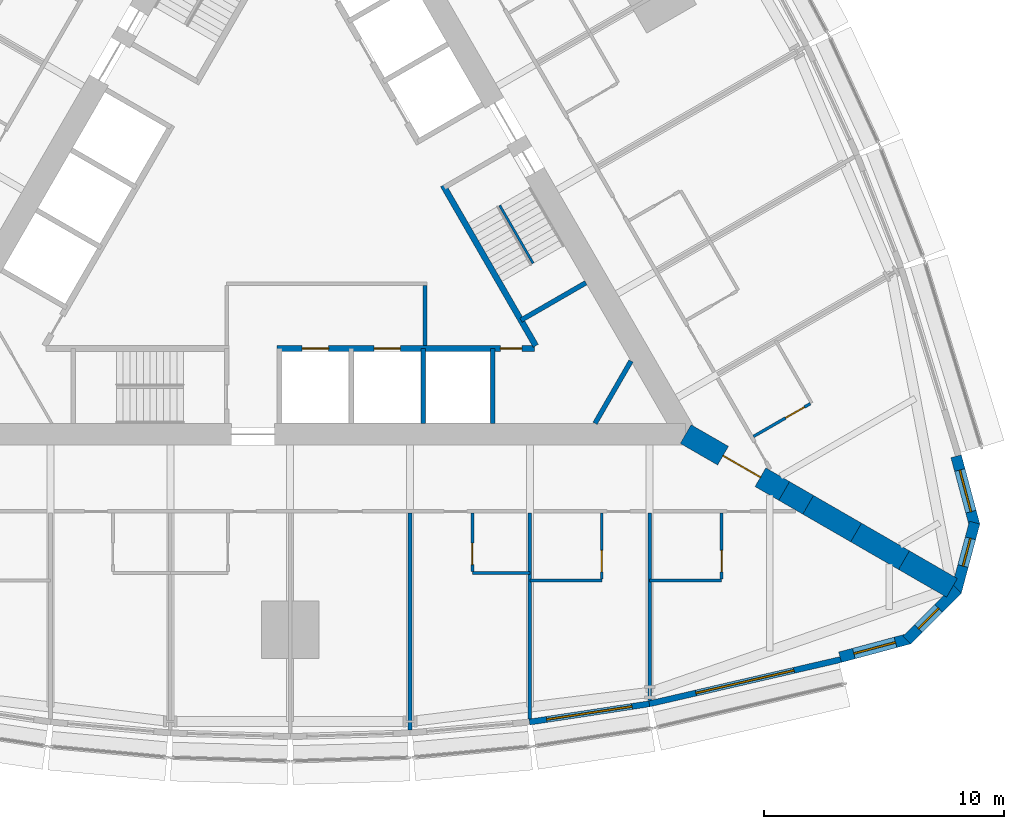
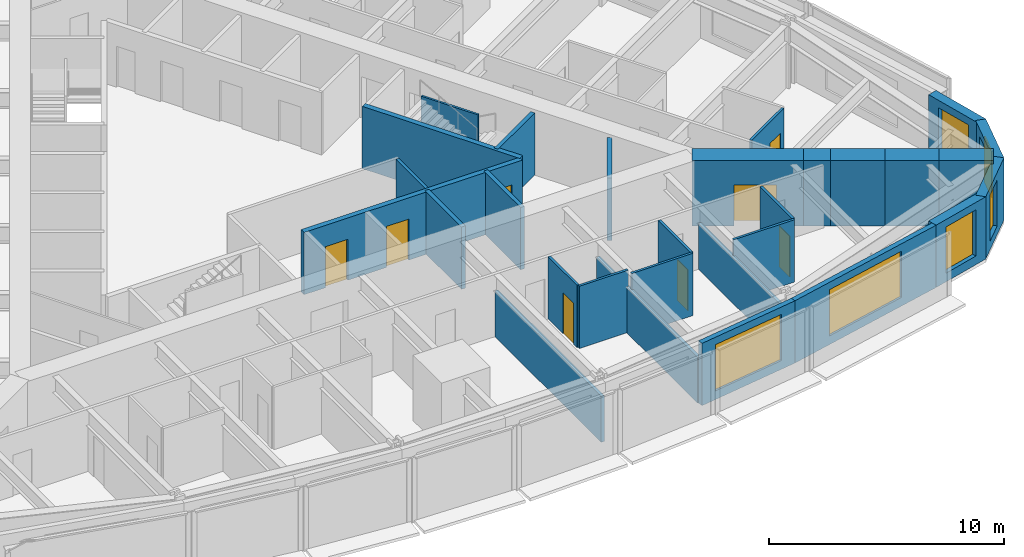
# One storey, part 10 of 14: 29 walls, 8 doors, 6 windows, 14 openings.
"""IFC4 building model written with IfcOpenShell, lengths in metres."""

import ifcopenshell
import ifcopenshell.guid

model = None  # the IFC model being written
_history = None  # IfcOwnerHistory: only IFC2X3 demands one
_inside = {}  # id of a spatial element -> (the spatial element, [elements in it])
_under = {}  # id of a project, library or spatial element -> (it, [spatial elements below it])
_declared = {}  # id of a project -> (the project, [libraries it declares])
_typed = {}  # id of a type object -> (the type object, [elements of that type])
_made_of = {}  # id of a material, layer set ... -> (it, [elements and type objects made of it])


def new_model(schema):
    """Start an empty IFC model of exactly this schema.

    Asked for "IFC4X3", IfcOpenShell would pick the latest addendum, in which some entities
    have other attributes; the version numbers below select the first issue.
    IFC2X3 requires an IfcOwnerHistory on every rooted entity: one is made here for all.
    """
    global model, _history
    if schema == "IFC4X3":
        model = ifcopenshell.file(schema_version=(4, 3, 0, 0))
    else:
        model = ifcopenshell.file(schema=schema)
    _inside.clear()
    _under.clear()
    _declared.clear()
    _typed.clear()
    _made_of.clear()
    _history = None
    if model.schema == "IFC2X3":
        org = make("IfcOrganization", Name="unknown")
        user = make(
            "IfcPersonAndOrganization",
            ThePerson=make("IfcPerson", FamilyName="unknown"),
            TheOrganization=org,
        )
        app = make(
            "IfcApplication",
            ApplicationDeveloper=org,
            Version="unknown",
            ApplicationFullName="unknown",
            ApplicationIdentifier="unknown",
        )
        _history = make(
            "IfcOwnerHistory",
            OwningUser=user,
            OwningApplication=app,
            ChangeAction="ADDED",
            CreationDate=0,
        )
    return model


def make(cls, **values):
    """One entity of the class cls with the attributes given. An attribute that is None is left unset."""
    return model.create_entity(
        cls, **{name: value for name, value in values.items() if value is not None}
    )


def rooted(cls, **values):
    """An entity with a GlobalId (a new one), such as an element, a storey or a relation."""
    return make(cls, GlobalId=ifcopenshell.guid.new(), OwnerHistory=_history, **values)


def si_unit(unit_type, name, prefix=None):
    """IfcSIUnit, for example si_unit("LENGTHUNIT", "METRE", prefix="MILLI")."""
    return make("IfcSIUnit", UnitType=unit_type, Prefix=prefix, Name=name)


def assignment(units):
    """IfcUnitAssignment: the units of a project."""
    return None if units is None else make("IfcUnitAssignment", Units=units)


def point(xyz):
    """IfcCartesianPoint."""
    return None if xyz is None else make("IfcCartesianPoint", Coordinates=xyz)


def direction(xyz):
    """IfcDirection."""
    return None if xyz is None else make("IfcDirection", DirectionRatios=xyz)


def frame(location, z_axis=None, x_axis=None):
    """IfcAxis2Placement3D, a coordinate frame: its origin and axes. An axis left out is left unset."""
    return make(
        "IfcAxis2Placement3D",
        Location=point(location),
        Axis=direction(z_axis),
        RefDirection=direction(x_axis),
    )


def frame_2d(location, x_axis=None):
    """IfcAxis2Placement2D, a coordinate frame in the plane: its origin and x axis."""
    return make(
        "IfcAxis2Placement2D", Location=point(location), RefDirection=direction(x_axis)
    )


def origin():
    """The frame at (0, 0, 0) with its axes left unset."""
    return frame((0.0, 0.0, 0.0))


def place(relative_to, where):
    """IfcLocalPlacement: puts the frame where relative to a parent placement (None: the world)."""
    return make(
        "IfcLocalPlacement", PlacementRelTo=relative_to, RelativePlacement=where
    )


def context(
    kind, dimensions, precision=None, world=None, true_north=None, identifier=None
):
    """IfcGeometricRepresentationContext, for example the 3D "Model" context."""
    return make(
        "IfcGeometricRepresentationContext",
        ContextIdentifier=identifier,
        ContextType=kind,
        CoordinateSpaceDimension=dimensions,
        Precision=precision,
        WorldCoordinateSystem=world,
        TrueNorth=true_north,
    )


def subcontext(parent, identifier, kind, view, scale=None):
    """IfcGeometricRepresentationSubContext, for example "Body" below "Model"."""
    return make(
        "IfcGeometricRepresentationSubContext",
        ContextIdentifier=identifier,
        ContextType=kind,
        ParentContext=parent,
        TargetScale=scale,
        TargetView=view,
    )


def project(units=None, contexts=None):
    """IfcProject with its units and contexts."""
    return rooted(
        "IfcProject",
        Name="project",
        RepresentationContexts=contexts,
        UnitsInContext=assignment(units),
    )


def spatial(cls, under=None, at=None, **own):
    """A site, building, storey or space (cls), placed at a placement, below another one or the project."""
    s = rooted(cls, ObjectPlacement=at, **own)
    if under is not None:
        _under.setdefault(under.id(), (under, []))[1].append(s)
    return s


def polyline(points):
    """IfcPolyline through the points."""
    return make("IfcPolyline", Points=[point(p) for p in points])


def profile(cls, at=None, kind="AREA", **sizes):
    """A parametric profile (cls). Its sizes go by their IFC names, for example OverallWidth=200.0."""
    return make(cls, ProfileType=kind, Position=at, **sizes)


def rectangle(**sizes):
    """IfcRectangleProfileDef."""
    return profile("IfcRectangleProfileDef", **sizes)


def outline(outer, holes=None, kind="AREA"):
    """IfcArbitraryClosedProfileDef: a profile drawn as a closed curve; with holes, ...WithVoids."""
    if holes is None:
        return make("IfcArbitraryClosedProfileDef", ProfileType=kind, OuterCurve=outer)
    return make(
        "IfcArbitraryProfileDefWithVoids",
        ProfileType=kind,
        OuterCurve=outer,
        InnerCurves=holes,
    )


def extrude(swept, where, along, depth):
    """IfcExtrudedAreaSolid: the profile swept, set in the frame where, extruded along a direction by depth."""
    return make(
        "IfcExtrudedAreaSolid",
        SweptArea=swept,
        Position=where,
        ExtrudedDirection=direction(along),
        Depth=depth,
    )


def shape(context_of_items, identifier, shape_type, items):
    """IfcShapeRepresentation: the items that make up one representation, for example the "Body"."""
    return make(
        "IfcShapeRepresentation",
        ContextOfItems=context_of_items,
        RepresentationIdentifier=identifier,
        RepresentationType=shape_type,
        Items=items,
    )


def material(Name=None, Category=None):
    """IfcMaterial."""
    return make("IfcMaterial", Name=Name, Category=Category)


def layer(
    of_material, thickness, ventilated=None, Name=None, Category=None, Priority=None
):
    """IfcMaterialLayer: one layer of a wall or slab, of a material (None: an air gap)."""
    return make(
        "IfcMaterialLayer",
        Material=of_material,
        LayerThickness=thickness,
        IsVentilated=ventilated,
        Name=Name,
        Category=Category,
        Priority=Priority,
    )


def layer_set(layers, Name=None):
    """IfcMaterialLayerSet."""
    return make("IfcMaterialLayerSet", MaterialLayers=layers, LayerSetName=Name)


def made_of(thing, what):
    """Note that an element or type object is made of a material, layer set ...; save() writes the relation."""
    if what is not None:
        _made_of.setdefault(what.id(), (what, []))[1].append(thing)
    return thing


def type_object(cls, material=None, **own):
    """A type object (cls), such as IfcWallType, which elements share."""
    return made_of(rooted(cls, **own), material)


def element(
    cls,
    number,
    at=None,
    inside=None,
    cuts=None,
    type_object=None,
    material=None,
    context=None,
    identifier="Body",
    shape_type=None,
    held_by="IfcProductDefinitionShape",
    body=None,
    shapes=None,
    **own,
):
    """One element of the class cls, such as IfcWall. Its Tag is "e" and its number.

    at: its placement. inside: the storey or other place that contains it. cuts: it is an
    opening in that element (IfcRelVoidsElement). A single representation is given by context,
    identifier, shape_type and body (its items); several are given by shapes. held_by: the class
    of the entity that holds the representations. save() writes the other relations.
    """
    e = rooted(cls, Tag="e%d" % number, ObjectPlacement=at, **own)
    if body is not None:
        shapes = [shape(context, identifier, shape_type, body)]
    if shapes is not None:
        e.Representation = make(held_by, Representations=shapes)
    if inside is not None:
        _inside.setdefault(inside.id(), (inside, []))[1].append(e)
    if cuts is not None:
        rooted(
            "IfcRelVoidsElement", RelatingBuildingElement=cuts, RelatedOpeningElement=e
        )
    if type_object is not None:
        _typed.setdefault(type_object.id(), (type_object, []))[1].append(e)
    return made_of(e, material)


def fill(opening, filler):
    """IfcRelFillsElement: the door or window that sits in an opening."""
    return rooted(
        "IfcRelFillsElement",
        RelatingOpeningElement=opening,
        RelatedBuildingElement=filler,
    )


def aggregate(whole, parts):
    """IfcRelAggregates: a whole, such as a stair, and the parts it consists of."""
    return rooted("IfcRelAggregates", RelatingObject=whole, RelatedObjects=parts)


def save(model, path):
    """Write the relations noted so far, then the file.

    IfcRelAggregates (storeys below a building ...), IfcRelContainedInSpatialStructure (elements
    in a storey), IfcRelDefinesByType, IfcRelAssociatesMaterial and IfcRelDeclares: one each for
    every whole, place, type object, material and project.
    """
    for whole, parts in _under.values():
        aggregate(whole, parts)
    for where, things in _inside.values():
        rooted(
            "IfcRelContainedInSpatialStructure",
            RelatedElements=things,
            RelatingStructure=where,
        )
    for kind, things in _typed.values():
        rooted("IfcRelDefinesByType", RelatedObjects=things, RelatingType=kind)
    for what, things in _made_of.values():
        rooted("IfcRelAssociatesMaterial", RelatedObjects=things, RelatingMaterial=what)
    for by, libraries in _declared.values():
        rooted("IfcRelDeclares", RelatingContext=by, RelatedDefinitions=libraries)
    model.write(path)


model = new_model("IFC4")

# Units and contexts
model_context = context("Model", 3, precision=1e-05, world=origin(), true_north=direction((0.0, 1.0)))
body_context = subcontext(model_context, "Body", "Model", "MODEL_VIEW")
ifc_project = project(units=[si_unit("LENGTHUNIT", "METRE"), si_unit("AREAUNIT", "SQUARE_METRE"), si_unit("VOLUMEUNIT", "CUBIC_METRE"), si_unit("PLANEANGLEUNIT", "RADIAN"), si_unit("MASSUNIT", "GRAM", prefix="KILO")], contexts=[model_context])

# Site, building, storey
site_placement = place(None, origin())
site = spatial("IfcSite", under=ifc_project, at=site_placement, CompositionType="ELEMENT")
building_placement = place(site_placement, origin())
building = spatial("IfcBuilding", under=site, at=building_placement, Name="Trikona Tower", CompositionType="ELEMENT")
storey_placement = place(building_placement, frame((0.0, 0.0, 28.5)))
storey = spatial("IfcBuildingStorey", under=building, at=storey_placement, Name="L05", CompositionType="ELEMENT", Elevation=28.5)

# Wall
ifc_material_1 = material(Name="Metal stud and cement board", Category="gypsum")
ifc_layer_1 = layer(ifc_material_1, 0.1201171875)
ifc_layer_set_1 = layer_set([ifc_layer_1], Name="Bathroom wall 120")
wall_type_1 = type_object("IfcWallType", Name="Bathroom wall 120", PredefinedType="PLUMBINGWALL", material=ifc_layer_set_1)
wall_1_placement = place(storey_placement, frame((7.60009765625, -15.326416015625, 0.0), z_axis=(0.0, 0.0, 1.0), x_axis=(1.0, 0.0, 0.0)))
element("IfcWall", 1, at=wall_1_placement, inside=storey, type_object=wall_type_1, Name="Bathroom wall 0504", PredefinedType="PLUMBINGWALL", context=body_context, shape_type="SweptSolid", body=[
    extrude(rectangle(XDim=2.39990234375, YDim=0.1201171875, at=frame_2d((1.199951171875, 0.0))), origin(), (0.0, 0.0, 1.0), 3.235107421875),
])

# Wall, opening, door
wall_2_placement = place(storey_placement, frame((7.60009765625, -12.826416015625, 0.0), z_axis=(0.0, 0.0, 1.0), x_axis=(0.0, -1.0, 0.0)))
wall_2 = element("IfcWall", 2, at=wall_2_placement, inside=storey, type_object=wall_type_1, Name="Bathroom wall 0504", PredefinedType="PLUMBINGWALL", context=body_context, shape_type="SweptSolid", body=[
    extrude(rectangle(XDim=2.43994140625, YDim=0.1201171875, at=frame_2d((1.219970703125, 0.0))), origin(), (0.0, 0.0, 1.0), 3.235107421875),
])
opening_1_placement = place(wall_2_placement, frame((1.25, 0.0, 0.0)))
opening_1 = element("IfcOpeningElement", 3, at=opening_1_placement, cuts=wall_2, Name="Opening D2", PredefinedType="OPENING", context=body_context, shape_type="SweptSolid", body=[
    extrude(rectangle(XDim=0.89990234375, YDim=2.1298828125, at=frame_2d((0.449951171875, 1.06494140625))), frame((0.0, 0.070068359375, 0.0), z_axis=(0.0, -1.0, 0.0), x_axis=(1.0, 0.0, 0.0)), (0.0, 0.0, 1.0), 0.14013671875),
])
ifc_material_2 = material(Name="Steel door frame with solid-core timber leaf", Category="steel")
door_type_1 = type_object("IfcDoorType", Name="Bathroom door 900x2130", OperationType="SLIDING_TO_LEFT", PredefinedType="DOOR", material=ifc_material_2)
door_1_placement = place(opening_1_placement, origin())
door_1 = element("IfcDoor", 4, at=door_1_placement, inside=storey, type_object=door_type_1, Name="Bathroom door 0504", OperationType="SLIDING_TO_LEFT", OverallHeight=2.1298828125, OverallWidth=0.89990234375, PredefinedType="DOOR", context=body_context, shape_type="SweptSolid", body=[
    extrude(rectangle(XDim=0.89990234375, YDim=2.1298828125, at=frame_2d((0.449951171875, 1.06494140625))), frame((0.0, 0.02490234375, 0.0), z_axis=(0.0, -1.0, 0.0), x_axis=(1.0, 0.0, 0.0)), (0.0, 0.0, 1.0), 0.050048828125),
])
fill(opening_1, door_1)

# Wall
wall_3_placement = place(storey_placement, frame((10.0, -15.626220703125, 0.0), z_axis=(0.0, 0.0, 1.0), x_axis=(1.0, 0.0, 0.0)))
element("IfcWall", 5, at=wall_3_placement, inside=storey, type_object=wall_type_1, Name="Bathroom wall 0505", PredefinedType="PLUMBINGWALL", context=body_context, shape_type="SweptSolid", body=[
    extrude(rectangle(XDim=3.0, YDim=0.1201171875, at=frame_2d((1.5, 0.0))), origin(), (0.0, 0.0, 1.0), 3.235107421875),
])

# Wall, opening, door
wall_4_placement = place(storey_placement, frame((13.0, -12.826416015625, 0.0), z_axis=(0.0, 0.0, 1.0), x_axis=(0.0, -1.0, 0.0)))
wall_4 = element("IfcWall", 6, at=wall_4_placement, inside=storey, type_object=wall_type_1, Name="Bathroom wall 0505", PredefinedType="PLUMBINGWALL", context=body_context, shape_type="SweptSolid", body=[
    extrude(rectangle(XDim=2.739990234375, YDim=0.1201171875, at=frame_2d((1.3701171875, 0.0))), origin(), (0.0, 0.0, 1.0), 3.235107421875),
])
opening_2_placement = place(wall_4_placement, frame((1.550048828125, 0.0, 0.0)))
opening_2 = element("IfcOpeningElement", 7, at=opening_2_placement, cuts=wall_4, Name="Opening D2", PredefinedType="OPENING", context=body_context, shape_type="SweptSolid", body=[
    extrude(rectangle(XDim=0.89990234375, YDim=2.1298828125, at=frame_2d((0.449951171875, 1.06494140625))), frame((0.0, 0.070068359375, 0.0), z_axis=(0.0, -1.0, 0.0), x_axis=(1.0, 0.0, 0.0)), (0.0, 0.0, 1.0), 0.14013671875),
])
door_2_placement = place(opening_2_placement, origin())
door_2 = element("IfcDoor", 8, at=door_2_placement, inside=storey, type_object=door_type_1, Name="Bathroom door 0505", OperationType="SLIDING_TO_LEFT", OverallHeight=2.1298828125, OverallWidth=0.89990234375, PredefinedType="DOOR", context=body_context, shape_type="SweptSolid", body=[
    extrude(rectangle(XDim=0.89990234375, YDim=2.1298828125, at=frame_2d((0.449951171875, 1.06494140625))), frame((0.0, 0.02490234375, 0.0), z_axis=(0.0, -1.0, 0.0), x_axis=(1.0, 0.0, 0.0)), (0.0, 0.0, 1.0), 0.050048828125),
])
fill(opening_2, door_2)

# Wall
wall_5_placement = place(storey_placement, frame((15.0, -15.626220703125, 0.0), z_axis=(0.0, 0.0, 1.0), x_axis=(1.0, 0.0, 0.0)))
element("IfcWall", 9, at=wall_5_placement, inside=storey, type_object=wall_type_1, Name="Bathroom wall 0506", PredefinedType="PLUMBINGWALL", context=body_context, shape_type="SweptSolid", body=[
    extrude(rectangle(XDim=3.0, YDim=0.1201171875, at=frame_2d((1.5, 0.0))), origin(), (0.0, 0.0, 1.0), 3.235107421875),
])

# Wall, opening, door
wall_6_placement = place(storey_placement, frame((18.0, -12.826416015625, 0.0), z_axis=(0.0, 0.0, 1.0), x_axis=(0.0, -1.0, 0.0)))
wall_6 = element("IfcWall", 10, at=wall_6_placement, inside=storey, type_object=wall_type_1, Name="Bathroom wall 0506", PredefinedType="PLUMBINGWALL", context=body_context, shape_type="SweptSolid", body=[
    extrude(rectangle(XDim=2.739990234375, YDim=0.1201171875, at=frame_2d((1.3701171875, 0.0))), origin(), (0.0, 0.0, 1.0), 3.235107421875),
])
opening_3_placement = place(wall_6_placement, frame((1.550048828125, 0.0, 0.0)))
opening_3 = element("IfcOpeningElement", 11, at=opening_3_placement, cuts=wall_6, Name="Opening D2", PredefinedType="OPENING", context=body_context, shape_type="SweptSolid", body=[
    extrude(rectangle(XDim=0.89990234375, YDim=2.1298828125, at=frame_2d((0.449951171875, 1.06494140625))), frame((0.0, 0.070068359375, 0.0), z_axis=(0.0, -1.0, 0.0), x_axis=(1.0, 0.0, 0.0)), (0.0, 0.0, 1.0), 0.14013671875),
])
door_3_placement = place(opening_3_placement, origin())
door_3 = element("IfcDoor", 12, at=door_3_placement, inside=storey, type_object=door_type_1, Name="Bathroom door 0506", OperationType="SLIDING_TO_LEFT", OverallHeight=2.1298828125, OverallWidth=0.89990234375, PredefinedType="DOOR", context=body_context, shape_type="SweptSolid", body=[
    extrude(rectangle(XDim=0.89990234375, YDim=2.1298828125, at=frame_2d((0.449951171875, 1.06494140625))), frame((0.0, 0.02490234375, 0.0), z_axis=(0.0, -1.0, 0.0), x_axis=(1.0, 0.0, 0.0)), (0.0, 0.0, 1.0), 0.050048828125),
])
fill(opening_3, door_3)

wall_7_placement = place(storey_placement, frame((19.32861328125, -9.625244140625, 0.0), z_axis=(0.0, 0.0, 1.0), x_axis=(0.866035715982, 0.499982138324, 0.0)))
wall_7 = element("IfcWall", 13, at=wall_7_placement, inside=storey, type_object=wall_type_1, Name="Bathroom wall 0507", PredefinedType="PLUMBINGWALL", context=body_context, shape_type="SweptSolid", body=[
    extrude(rectangle(XDim=2.73974609375, YDim=0.1201171875, at=frame_2d((1.369873046875, 0.0))), origin(), (0.0, 0.0, 1.0), 3.235107421875),
])
opening_4_placement = place(wall_7_placement, frame((1.550048828125, 0.0, 0.0)))
opening_4 = element("IfcOpeningElement", 14, at=opening_4_placement, cuts=wall_7, Name="Opening D2", PredefinedType="OPENING", context=body_context, shape_type="SweptSolid", body=[
    extrude(rectangle(XDim=0.89990234375, YDim=2.1298828125, at=frame_2d((0.449951171875, 1.06494140625))), frame((0.0, 0.070068359375, 0.0), z_axis=(0.0, -1.0, 0.0), x_axis=(1.0, 0.0, 0.0)), (0.0, 0.0, 1.0), 0.14013671875),
])
door_4_placement = place(opening_4_placement, origin())
door_4 = element("IfcDoor", 15, at=door_4_placement, inside=storey, type_object=door_type_1, Name="Bathroom door 0507", OperationType="SLIDING_TO_LEFT", OverallHeight=2.1298828125, OverallWidth=0.89990234375, PredefinedType="DOOR", context=body_context, shape_type="SweptSolid", body=[
    extrude(rectangle(XDim=0.89990234375, YDim=2.1298828125, at=frame_2d((0.449951171875, 1.06494140625))), frame((0.0, 0.02490234375, 0.0), z_axis=(0.0, -1.0, 0.0), x_axis=(1.0, 0.0, 0.0)), (0.0, 0.0, 1.0), 0.050048828125),
])
fill(opening_4, door_4)

# Wall, opening, window
ifc_material_3 = material(Name="Brick-faced precast concrete", Category="masonry")
ifc_layer_2 = layer(ifc_material_3, 0.449951171875)
ifc_layer_set_2 = layer_set([ifc_layer_2], Name="Brick-faced corner wall 450")
wall_type_2 = type_object("IfcWallType", Name="Brick-faced corner wall 450", PredefinedType="SOLIDWALL", material=ifc_layer_set_2)
wall_8_placement = place(storey_placement, frame((22.94189453125, -18.835205078125, 0.0), z_axis=(0.0, 0.0, 1.0), x_axis=(0.965930548995, 0.258801419081, 0.0)))
wall_8 = element("IfcWall", 16, at=wall_8_placement, inside=storey, type_object=wall_type_2, Name="External wall L05-08", PredefinedType="SOLIDWALL", context=body_context, shape_type="SweptSolid", body=[
    extrude(rectangle(XDim=2.988525390625, YDim=0.449951171875, at=frame_2d((1.494140625, 0.0))), origin(), (0.0, 0.0, 1.0), 3.235107421875),
])
opening_5_placement = place(wall_8_placement, frame((0.59423828125, 0.0, 0.449951171875)))
opening_5 = element("IfcOpeningElement", 17, at=opening_5_placement, cuts=wall_8, Name="Opening W1824", PredefinedType="OPENING", context=body_context, shape_type="SweptSolid", body=[
    extrude(rectangle(XDim=1.800048828125, YDim=2.39990234375, at=frame_2d((0.89990234375, 1.199951171875))), frame((0.0, 0.23486328125, 0.0), z_axis=(0.0, -1.0, 0.0), x_axis=(1.0, 0.0, 0.0)), (0.0, 0.0, 1.0), 0.469970703125),
])
ifc_material_4 = material(Name="Aluminium-framed double glazing", Category="aluminium")
window_type_1 = type_object("IfcWindowType", Name="Window 1800x2400", PartitioningType="SINGLE_PANEL", PredefinedType="WINDOW", material=ifc_material_4)
window_1_placement = place(opening_5_placement, origin())
window_1 = element("IfcWindow", 18, at=window_1_placement, inside=storey, type_object=window_type_1, Name="Window 0506", OverallHeight=2.39990234375, OverallWidth=1.800048828125, PartitioningType="SINGLE_PANEL", PredefinedType="WINDOW", context=body_context, shape_type="SweptSolid", body=[
    extrude(rectangle(XDim=1.800048828125, YDim=2.39990234375, at=frame_2d((0.89990234375, 1.199951171875))), frame((0.0, 0.030029296875, 0.0), z_axis=(0.0, -1.0, 0.0), x_axis=(1.0, 0.0, 0.0)), (0.0, 0.0, 1.0), 0.06005859375),
])
fill(opening_5, window_1)

wall_9_placement = place(storey_placement, frame((25.727783203125, -18.1201171875, 0.0), z_axis=(0.0, 0.0, 1.0), x_axis=(0.707025086683, 0.707188466253, 0.0)))
wall_9 = element("IfcWall", 19, at=wall_9_placement, inside=storey, type_object=wall_type_2, Name="External wall L05-09", PredefinedType="SOLIDWALL", context=body_context, shape_type="SweptSolid", body=[
    extrude(outline(polyline([(2.988525390625, 0.22509765625), (2.929931640625, 0.22509765625), (2.4375, 0.093017578125), (2.402099609375, 0.22509765625), (0.0, 0.22509765625), (0.0, -0.22509765625), (2.988525390625, -0.22509765625), (2.988525390625, 0.22509765625)])), origin(), (0.0, 0.0, 1.0), 3.235107421875),
])
opening_6_placement = place(wall_9_placement, frame((0.676025390625, 0.0, 0.449951171875)))
opening_6 = element("IfcOpeningElement", 20, at=opening_6_placement, cuts=wall_9, Name="Opening W1224", PredefinedType="OPENING", context=body_context, shape_type="SweptSolid", body=[
    extrude(rectangle(XDim=1.199951171875, YDim=2.39990234375, at=frame_2d((0.60009765625, 1.199951171875))), frame((0.0, 0.23486328125, 0.0), z_axis=(0.0, -1.0, 0.0), x_axis=(1.0, 0.0, 0.0)), (0.0, 0.0, 1.0), 0.469970703125),
])
ifc_material_5 = material(Name="Aluminium-framed double glazing", Category="aluminium")
window_type_2 = type_object("IfcWindowType", Name="Window 1200x2400", PartitioningType="SINGLE_PANEL", PredefinedType="WINDOW", material=ifc_material_5)
window_2_placement = place(opening_6_placement, origin())
window_2 = element("IfcWindow", 21, at=window_2_placement, inside=storey, type_object=window_type_2, Name="Window 0506", OverallHeight=2.39990234375, OverallWidth=1.199951171875, PartitioningType="SINGLE_PANEL", PredefinedType="WINDOW", context=body_context, shape_type="SweptSolid", body=[
    extrude(rectangle(XDim=1.199951171875, YDim=2.39990234375, at=frame_2d((0.60009765625, 1.199951171875))), frame((0.0, 0.030029296875, 0.0), z_axis=(0.0, -1.0, 0.0), x_axis=(1.0, 0.0, 0.0)), (0.0, 0.0, 1.0), 0.06005859375),
])
fill(opening_6, window_2)

wall_10_placement = place(storey_placement, frame((27.78271484375, -16.107666015625, 0.0), z_axis=(0.0, 0.0, 1.0), x_axis=(0.258801419081, 0.965930548995, 0.0)))
wall_10 = element("IfcWall", 22, at=wall_10_placement, inside=storey, type_object=wall_type_2, Name="External wall L05-10", PredefinedType="SOLIDWALL", context=body_context, shape_type="SweptSolid", body=[
    extrude(outline(polyline([(2.988525390625, 0.22509765625), (0.58642578125, 0.22509765625), (0.55126953125, 0.09326171875), (0.0595703125, 0.22509765625), (0.0, 0.22509765625), (0.0, -0.22509765625), (2.988525390625, -0.22509765625), (2.988525390625, 0.22509765625)])), origin(), (0.0, 0.0, 1.0), 3.235107421875),
])
opening_7_placement = place(wall_10_placement, frame((1.112548828125, 0.0, 0.449951171875)))
opening_7 = element("IfcOpeningElement", 23, at=opening_7_placement, cuts=wall_10, Name="Opening W1224", PredefinedType="OPENING", context=body_context, shape_type="SweptSolid", body=[
    extrude(rectangle(XDim=1.199951171875, YDim=2.39990234375, at=frame_2d((0.60009765625, 1.199951171875))), frame((0.0, 0.23486328125, 0.0), z_axis=(0.0, -1.0, 0.0), x_axis=(1.0, 0.0, 0.0)), (0.0, 0.0, 1.0), 0.469970703125),
])
window_3_placement = place(opening_7_placement, origin())
window_3 = element("IfcWindow", 24, at=window_3_placement, inside=storey, type_object=window_type_2, Name="Window 0507", OverallHeight=2.39990234375, OverallWidth=1.199951171875, PartitioningType="SINGLE_PANEL", PredefinedType="WINDOW", context=body_context, shape_type="SweptSolid", body=[
    extrude(rectangle(XDim=1.199951171875, YDim=2.39990234375, at=frame_2d((0.60009765625, 1.199951171875))), frame((0.0, 0.030029296875, 0.0), z_axis=(0.0, -1.0, 0.0), x_axis=(1.0, 0.0, 0.0)), (0.0, 0.0, 1.0), 0.06005859375),
])
fill(opening_7, window_3)

wall_11_placement = place(storey_placement, frame((28.55615234375, -13.33740234375, 0.0), z_axis=(0.0, 0.0, 1.0), x_axis=(-0.258780998834, 0.965936019953, 0.0)))
wall_11 = element("IfcWall", 25, at=wall_11_placement, inside=storey, type_object=wall_type_2, Name="External wall L05-11", PredefinedType="SOLIDWALL", context=body_context, shape_type="SweptSolid", body=[
    extrude(rectangle(XDim=2.98876953125, YDim=0.449951171875, at=frame_2d((1.494384765625, 0.0))), origin(), (0.0, 0.0, 1.0), 3.235107421875),
])
opening_8_placement = place(wall_11_placement, frame((0.59423828125, 0.0, 0.449951171875)))
opening_8 = element("IfcOpeningElement", 26, at=opening_8_placement, cuts=wall_11, Name="Opening W1824", PredefinedType="OPENING", context=body_context, shape_type="SweptSolid", body=[
    extrude(rectangle(XDim=1.800048828125, YDim=2.39990234375, at=frame_2d((0.89990234375, 1.199951171875))), frame((0.0, 0.23486328125, 0.0), z_axis=(0.0, -1.0, 0.0), x_axis=(1.0, 0.0, 0.0)), (0.0, 0.0, 1.0), 0.469970703125),
])
window_4_placement = place(opening_8_placement, origin())
window_4 = element("IfcWindow", 27, at=window_4_placement, inside=storey, type_object=window_type_1, Name="Window 0507", OverallHeight=2.39990234375, OverallWidth=1.800048828125, PartitioningType="SINGLE_PANEL", PredefinedType="WINDOW", context=body_context, shape_type="SweptSolid", body=[
    extrude(rectangle(XDim=1.800048828125, YDim=2.39990234375, at=frame_2d((0.89990234375, 1.199951171875))), frame((0.0, 0.030029296875, 0.0), z_axis=(0.0, -1.0, 0.0), x_axis=(1.0, 0.0, 0.0)), (0.0, 0.0, 1.0), 0.06005859375),
])
fill(opening_8, window_4)

# Wall, opening, door
ifc_material_6 = material(Name="Concrete f'c 10000 psi", Category="concrete")
ifc_layer_3 = layer(ifc_material_6, 0.89990234375)
ifc_layer_set_3 = layer_set([ifc_layer_3], Name="Buttress wall 900")
wall_type_3 = type_object("IfcWallType", Name="Buttress wall 900", PredefinedType="SHEAR", material=ifc_layer_set_3)
wall_12_placement = place(storey_placement, frame((16.5, -9.5263671875, 0.0), z_axis=(0.0, 0.0, 1.0), x_axis=(0.866031398331, -0.499989616998, 0.0)))
wall_12 = element("IfcWall", 28, at=wall_12_placement, inside=storey, type_object=wall_type_3, Name="Buttress wall 1", PredefinedType="SHEAR", context=body_context, shape_type="SweptSolid", body=[
    extrude(rectangle(XDim=4.74609375, YDim=0.89990234375, at=frame_2d((2.373046875, 0.0))), origin(), (0.0, 0.0, 1.0), 3.39990234375),
])
opening_9_placement = place(wall_12_placement, frame((1.800048828125, 0.0, 0.0)))
opening_9 = element("IfcOpeningElement", 29, at=opening_9_placement, cuts=wall_12, Name="Opening D10", PredefinedType="OPENING", context=body_context, shape_type="SweptSolid", body=[
    extrude(rectangle(XDim=1.800048828125, YDim=2.1298828125, at=frame_2d((0.89990234375, 1.06494140625))), frame((0.0, 0.4599609375, 0.0), z_axis=(0.0, -1.0, 0.0), x_axis=(1.0, 0.0, 0.0)), (0.0, 0.0, 1.0), 0.919921875),
])
ifc_material_7 = material(Name="Hollow metal door and frame", Category="steel")
door_type_2 = type_object("IfcDoorType", Name="Cross-corridor door pair 1800x2130", OperationType="DOUBLE_DOOR_DOUBLE_SWING", PredefinedType="DOOR", material=ifc_material_7)
door_5_placement = place(opening_9_placement, origin())
door_5 = element("IfcDoor", 30, at=door_5_placement, inside=storey, type_object=door_type_2, Name="Cross-corridor door 1", OperationType="DOUBLE_DOOR_DOUBLE_SWING", OverallHeight=2.1298828125, OverallWidth=1.800048828125, PredefinedType="DOOR", context=body_context, shape_type="SweptSolid", body=[
    extrude(rectangle(XDim=1.800048828125, YDim=2.1298828125, at=frame_2d((0.89990234375, 1.06494140625))), frame((0.0, 0.02490234375, 0.0), z_axis=(0.0, -1.0, 0.0), x_axis=(1.0, 0.0, 0.0)), (0.0, 0.0, 1.0), 0.050048828125),
])
fill(opening_9, door_5)

# Walls
wall_13_placement = place(storey_placement, frame((20.6103515625, -11.8994140625, 0.0), z_axis=(0.0, 0.0, 1.0), x_axis=(0.866009537788, -0.500027479704, 0.0)))
element("IfcWall", 31, at=wall_13_placement, inside=storey, type_object=wall_type_3, Name="Buttress wall 1 part 2", PredefinedType="SHEAR", context=body_context, shape_type="SweptSolid", body=[
    extrude(rectangle(XDim=1.15478515625, YDim=0.89990234375, at=frame_2d((0.577392578125, 0.0))), origin(), (0.0, 0.0, 1.0), 3.39990234375),
])
for number, where, z_axis, x_axis, name in (
    (32, (21.6103515625, -12.476806640625, 0.0), (0.0, 0.0, 1.0), (0.866055313784, -0.499948190782, 0.0), "Buttress wall 1 part 3"),
    (33, (23.6103515625, -13.63134765625, 0.0), (0.0, 0.0, 1.0), (0.866009537788, -0.500027479704, 0.0), "Buttress wall 1 part 4"),
    (34, (25.6103515625, -14.7861328125, 0.0), (0.0, 0.0, 1.0), (0.866009537788, -0.500027479704, 0.0), "Buttress wall 1 part 5"),
):
    element("IfcWall", number, at=place(storey_placement, frame(where, z_axis=z_axis, x_axis=x_axis)), inside=storey, type_object=wall_type_3, Name=name, PredefinedType="SHEAR", context=body_context, shape_type="SweptSolid", body=[
        extrude(rectangle(XDim=2.309326171875, YDim=0.89990234375, at=frame_2d((1.15478515625, 0.0))), origin(), (0.0, 0.0, 1.0), 3.39990234375),
    ])

# Wall, openings, doors
ifc_material_8 = material(Name="Concrete f'c 8000 psi", Category="concrete")
ifc_layer_4 = layer(ifc_material_8, 0.25)
ifc_layer_set_4 = layer_set([ifc_layer_4], Name="Hub wall 250")
wall_type_4 = type_object("IfcWallType", Name="Hub wall 250", PredefinedType="SOLIDWALL", material=ifc_layer_set_4)
wall_14_placement = place(storey_placement, frame((-0.550048828125, -5.951416015625, 0.0), z_axis=(0.0, 0.0, 1.0), x_axis=(1.0, 0.0, 0.0)))
wall_14 = element("IfcWall", 35, at=wall_14_placement, inside=storey, type_object=wall_type_4, Name="Lift lobby wall A2", PredefinedType="SOLIDWALL", context=body_context, shape_type="SweptSolid", body=[
    extrude(rectangle(XDim=10.73291015625, YDim=0.25, at=frame_2d((5.366455078125, 0.0))), origin(), (0.0, 0.0, 1.0), 3.235107421875),
])
opening_10_placement = place(wall_14_placement, frame((9.31396484375, 0.0, 0.0)))
opening_10 = element("IfcOpeningElement", 36, at=opening_10_placement, cuts=wall_14, Name="Opening D14", PredefinedType="OPENING", context=body_context, shape_type="SweptSolid", body=[
    extrude(rectangle(XDim=0.89990234375, YDim=2.1298828125, at=frame_2d((0.449951171875, 1.06494140625))), frame((0.0, 0.135009765625, 0.0), z_axis=(0.0, -1.0, 0.0), x_axis=(1.0, 0.0, 0.0)), (0.0, 0.0, 1.0), 0.27001953125),
])
opening_11_placement = place(wall_14_placement, frame((1.050048828125, 0.0, 0.0)))
opening_11 = element("IfcOpeningElement", 37, at=opening_11_placement, cuts=wall_14, Name="Opening LD", PredefinedType="OPENING", context=body_context, shape_type="SweptSolid", body=[
    extrude(rectangle(XDim=1.10009765625, YDim=2.1298828125, at=frame_2d((0.550048828125, 1.06494140625))), frame((0.0, 0.135009765625, 0.0), z_axis=(0.0, -1.0, 0.0), x_axis=(1.0, 0.0, 0.0)), (0.0, 0.0, 1.0), 0.27001953125),
])
opening_12_placement = place(wall_14_placement, frame((4.050048828125, 0.0, 0.0)))
opening_12 = element("IfcOpeningElement", 38, at=opening_12_placement, cuts=wall_14, Name="Opening LD", PredefinedType="OPENING", context=body_context, shape_type="SweptSolid", body=[
    extrude(rectangle(XDim=1.10009765625, YDim=2.1298828125, at=frame_2d((0.550048828125, 1.06494140625))), frame((0.0, 0.135009765625, 0.0), z_axis=(0.0, -1.0, 0.0), x_axis=(1.0, 0.0, 0.0)), (0.0, 0.0, 1.0), 0.27001953125),
])
ifc_material_9 = material(Name="Stainless steel lift landing door", Category="steel")
door_type_3 = type_object("IfcDoorType", Name="Lift landing door 1100x2130", OperationType="DOUBLE_DOOR_SLIDING", PredefinedType="USERDEFINED", material=ifc_material_9)
door_6_placement = place(opening_11_placement, origin())
door_6 = element("IfcDoor", 39, at=door_6_placement, inside=storey, type_object=door_type_3, Name="Lift landing door FF1", ObjectType="LIFT LANDING DOOR", OperationType="DOUBLE_DOOR_SLIDING", OverallHeight=2.1298828125, OverallWidth=1.10009765625, PredefinedType="USERDEFINED", context=body_context, shape_type="SweptSolid", body=[
    extrude(rectangle(XDim=1.10009765625, YDim=2.1298828125, at=frame_2d((0.550048828125, 1.06494140625))), frame((0.0, 0.02490234375, 0.0), z_axis=(0.0, -1.0, 0.0), x_axis=(1.0, 0.0, 0.0)), (0.0, 0.0, 1.0), 0.050048828125),
])
fill(opening_11, door_6)
door_7_placement = place(opening_12_placement, origin())
door_7 = element("IfcDoor", 40, at=door_7_placement, inside=storey, type_object=door_type_3, Name="Lift landing door FF2", ObjectType="LIFT LANDING DOOR", OperationType="DOUBLE_DOOR_SLIDING", OverallHeight=2.1298828125, OverallWidth=1.10009765625, PredefinedType="USERDEFINED", context=body_context, shape_type="SweptSolid", body=[
    extrude(rectangle(XDim=1.10009765625, YDim=2.1298828125, at=frame_2d((0.550048828125, 1.06494140625))), frame((0.0, 0.02490234375, 0.0), z_axis=(0.0, -1.0, 0.0), x_axis=(1.0, 0.0, 0.0)), (0.0, 0.0, 1.0), 0.050048828125),
])
fill(opening_12, door_7)
ifc_material_10 = material(Name="Hollow metal door and frame", Category="steel")
door_type_4 = type_object("IfcDoorType", Name="Service room door 900x2130", OperationType="SINGLE_SWING_LEFT", PredefinedType="DOOR", material=ifc_material_10)
door_8_placement = place(opening_10_placement, origin())
door_8 = element("IfcDoor", 41, at=door_8_placement, inside=storey, type_object=door_type_4, Name="Door Linen store LIN", OperationType="SINGLE_SWING_RIGHT", OverallHeight=2.1298828125, OverallWidth=0.89990234375, PredefinedType="DOOR", context=body_context, shape_type="SweptSolid", body=[
    extrude(rectangle(XDim=0.89990234375, YDim=2.1298828125, at=frame_2d((0.449951171875, 1.06494140625))), frame((0.0, 0.02490234375, 0.0), z_axis=(0.0, -1.0, 0.0), x_axis=(1.0, 0.0, 0.0)), (0.0, 0.0, 1.0), 0.050048828125),
])
fill(opening_10, door_8)

# Wall
wall_15_placement = place(storey_placement, frame((10.245361328125, -5.843017578125, 0.0), z_axis=(0.0, 0.0, 1.0), x_axis=(-0.499993009313, 0.866029439822, 0.0)))
element("IfcWall", 42, at=wall_15_placement, inside=storey, type_object=wall_type_4, Name="Lift lobby wall B1", PredefinedType="SOLIDWALL", context=body_context, shape_type="SweptSolid", body=[
    extrude(rectangle(XDim=7.73291015625, YDim=0.25, at=frame_2d((3.866455078125, 0.0))), origin(), (0.0, 0.0, 1.0), 3.235107421875),
])

# Wall, opening, window
ifc_material_11 = material(Name="Insulated precast concrete spandrel panel", Category="concrete")
ifc_layer_5 = layer(ifc_material_11, 0.25)
ifc_layer_set_5 = layer_set([ifc_layer_5], Name="Inner skin wall 250")
wall_type_5 = type_object("IfcWallType", Name="Inner skin wall 250", PredefinedType="STANDARD", material=ifc_layer_set_5)
wall_16_placement = place(storey_placement, frame((9.981201171875, -21.540283203125, 0.0), z_axis=(0.0, 0.0, 1.0), x_axis=(0.988615403399, 0.150464561152, 0.0)))
wall_16 = element("IfcWall", 43, at=wall_16_placement, inside=storey, type_object=wall_type_5, Name="External wall L05-06", PredefinedType="STANDARD", context=body_context, shape_type="SweptSolid", body=[
    extrude(rectangle(XDim=5.0576171875, YDim=0.25, at=frame_2d((2.52880859375, 0.0))), origin(), (0.0, 0.0, 1.0), 3.235107421875),
])
opening_13_placement = place(wall_16_placement, frame((0.728759765625, 0.0, 0.449951171875)))
opening_13 = element("IfcOpeningElement", 44, at=opening_13_placement, cuts=wall_16, Name="Opening W3624", PredefinedType="OPENING", context=body_context, shape_type="SweptSolid", body=[
    extrude(rectangle(XDim=3.60009765625, YDim=2.39990234375, at=frame_2d((1.800048828125, 1.199951171875))), frame((0.0, 0.135009765625, 0.0), z_axis=(0.0, -1.0, 0.0), x_axis=(1.0, 0.0, 0.0)), (0.0, 0.0, 1.0), 0.27001953125),
])
ifc_material_12 = material(Name="Aluminium-framed double glazing", Category="aluminium")
window_type_3 = type_object("IfcWindowType", Name="Window 3600x2400", PartitioningType="SINGLE_PANEL", PredefinedType="WINDOW", material=ifc_material_12)
window_5_placement = place(opening_13_placement, origin())
window_5 = element("IfcWindow", 45, at=window_5_placement, inside=storey, type_object=window_type_3, Name="Window 0505", OverallHeight=2.39990234375, OverallWidth=3.60009765625, PartitioningType="SINGLE_PANEL", PredefinedType="WINDOW", context=body_context, shape_type="SweptSolid", body=[
    extrude(rectangle(XDim=3.60009765625, YDim=2.39990234375, at=frame_2d((1.800048828125, 1.199951171875))), frame((0.0, 0.030029296875, 0.0), z_axis=(0.0, -1.0, 0.0), x_axis=(1.0, 0.0, 0.0)), (0.0, 0.0, 1.0), 0.06005859375),
])
fill(opening_13, window_5)

wall_17_placement = place(storey_placement, frame((14.9716796875, -20.78125, 0.0), z_axis=(0.0, 0.0, 1.0), x_axis=(0.974279327392, 0.225343720163, 0.0)))
wall_17 = element("IfcWall", 46, at=wall_17_placement, inside=storey, type_object=wall_type_5, Name="External wall L05-07", PredefinedType="STANDARD", context=body_context, shape_type="SweptSolid", body=[
    extrude(rectangle(XDim=8.211181640625, YDim=0.25, at=frame_2d((4.10546875, 0.0))), origin(), (0.0, 0.0, 1.0), 3.235107421875),
])
opening_14_placement = place(wall_17_placement, frame((2.005615234375, 0.0, 0.449951171875)))
opening_14 = element("IfcOpeningElement", 47, at=opening_14_placement, cuts=wall_17, Name="Opening W4224", PredefinedType="OPENING", context=body_context, shape_type="SweptSolid", body=[
    extrude(rectangle(XDim=4.199951171875, YDim=2.39990234375, at=frame_2d((2.10009765625, 1.199951171875))), frame((0.0, 0.135009765625, 0.0), z_axis=(0.0, -1.0, 0.0), x_axis=(1.0, 0.0, 0.0)), (0.0, 0.0, 1.0), 0.27001953125),
])
ifc_material_13 = material(Name="Aluminium-framed double glazing", Category="aluminium")
window_type_4 = type_object("IfcWindowType", Name="Window 4200x2400", PartitioningType="SINGLE_PANEL", PredefinedType="WINDOW", material=ifc_material_13)
window_6_placement = place(opening_14_placement, origin())
window_6 = element("IfcWindow", 48, at=window_6_placement, inside=storey, type_object=window_type_4, Name="Window 0506", OverallHeight=2.39990234375, OverallWidth=4.199951171875, PartitioningType="SINGLE_PANEL", PredefinedType="WINDOW", context=body_context, shape_type="SweptSolid", body=[
    extrude(rectangle(XDim=4.199951171875, YDim=2.39990234375, at=frame_2d((2.10009765625, 1.199951171875))), frame((0.0, 0.030029296875, 0.0), z_axis=(0.0, -1.0, 0.0), x_axis=(1.0, 0.0, 0.0)), (0.0, 0.0, 1.0), 0.06005859375),
])
fill(opening_14, window_6)

# Walls
ifc_material_14 = material(Name="Metal stud and gypsum board, 2-hour shaft wall", Category="gypsum")
ifc_layer_6 = layer(ifc_material_14, 0.14990234375)
ifc_layer_set_6 = layer_set([ifc_layer_6], Name="Lobby wall 150")
wall_type_6 = type_object("IfcWallType", Name="Lobby wall 150", PredefinedType="PARTITIONING", material=ifc_layer_set_6)
wall_18_placement = place(storey_placement, frame((5.625, -5.826416015625, 0.0), z_axis=(0.0, 0.0, 1.0), x_axis=(0.0, 1.0, 0.0)))
element("IfcWall", 49, at=wall_18_placement, inside=storey, type_object=wall_type_6, Name="Fire service lift lobby wall 3", PredefinedType="PARTITIONING", context=body_context, shape_type="SweptSolid", body=[
    extrude(rectangle(XDim=2.5, YDim=0.14990234375, at=frame_2d((1.25, 0.0))), origin(), (0.0, 0.0, 1.0), 3.235107421875),
])
ifc_material_15 = material(Name="Metal stud and gypsum board, 1-hour acoustic", Category="gypsum")
ifc_layer_7 = layer(ifc_material_15, 0.14990234375)
ifc_layer_set_7 = layer_set([ifc_layer_7], Name="Party wall 150")
wall_type_7 = type_object("IfcWallType", Name="Party wall 150", PredefinedType="PARTITIONING", material=ifc_layer_set_7)
wall_19_placement = place(storey_placement, frame((5.0, -12.826416015625, 0.0), z_axis=(0.0, 0.0, 1.0), x_axis=(0.0, -1.0, 0.0)))
element("IfcWall", 50, at=wall_19_placement, inside=storey, type_object=wall_type_7, Name="Partition L05 F1 u5", PredefinedType="PARTITIONING", context=body_context, shape_type="SweptSolid", body=[
    extrude(rectangle(XDim=9.04296875, YDim=0.14990234375, at=frame_2d((4.521484375, 0.0))), origin(), (0.0, 0.0, 1.0), 2.38916015625),
])
wall_20_placement = place(storey_placement, frame((10.0, -12.826416015625, 0.0), z_axis=(0.0, 0.0, 1.0), x_axis=(0.0, -1.0, 0.0)))
element("IfcWall", 51, at=wall_20_placement, inside=storey, type_object=wall_type_7, Name="Partition L05 F1 u10", PredefinedType="PARTITIONING", context=body_context, shape_type="SweptSolid", body=[
    extrude(rectangle(XDim=8.58447265625, YDim=0.14990234375, at=frame_2d((4.292236328125, 0.0))), origin(), (0.0, 0.0, 1.0), 2.38916015625),
])
wall_21_placement = place(storey_placement, frame((15.0, -12.826416015625, 0.0), z_axis=(0.0, 0.0, 1.0), x_axis=(0.0, -1.0, 0.0)))
element("IfcWall", 52, at=wall_21_placement, inside=storey, type_object=wall_type_7, Name="Partition L05 F1 u15", PredefinedType="PARTITIONING", context=body_context, shape_type="SweptSolid", body=[
    extrude(rectangle(XDim=7.820068359375, YDim=0.14990234375, at=frame_2d((3.91015625, 0.0))), origin(), (0.0, 0.0, 1.0), 2.38916015625),
])
ifc_material_16 = material(Name="Concrete f'c 8000 psi", Category="concrete")
ifc_layer_8 = layer(ifc_material_16, 0.199951171875)
ifc_layer_set_8 = layer_set([ifc_layer_8], Name="Shaft wall 200")
wall_type_8 = type_object("IfcWallType", Name="Shaft wall 200", PredefinedType="SOLIDWALL", material=ifc_layer_set_8)
for number, where, z_axis, x_axis, name in (
    (53, (5.550048828125, -5.951416015625, 0.0), (0.0, 0.0, 1.0), (0.0, -1.0, 0.0), "Shaft wall A5"),
    (54, (8.449951171875, -5.951416015625, 0.0), (0.0, 0.0, 1.0), (0.0, -1.0, 0.0), "Shaft wall A6"),
):
    element("IfcWall", number, at=place(storey_placement, frame(where, z_axis=z_axis, x_axis=x_axis)), inside=storey, type_object=wall_type_8, Name=name, PredefinedType="SOLIDWALL", context=body_context, shape_type="SweptSolid", body=[
        extrude(rectangle(XDim=3.125, YDim=0.199951171875, at=frame_2d((1.5625, 0.0))), origin(), (0.0, 0.0, 1.0), 3.235107421875),
    ])
wall_22_placement = place(storey_placement, frame((14.219482421875, -6.476318359375, 0.0), z_axis=(0.0, 0.0, 1.0), x_axis=(-0.499952404951, -0.866052881055, 0.0)))
element("IfcWall", 55, at=wall_22_placement, inside=storey, type_object=wall_type_8, Name="Riser wall L05-RS1", PredefinedType="SOLIDWALL", context=body_context, shape_type="SweptSolid", body=[
    extrude(rectangle(XDim=3.002197265625, YDim=0.199951171875, at=frame_2d((1.5009765625, 0.0))), origin(), (0.0, 0.0, 1.0), 3.235107421875),
])
ifc_material_17 = material(Name="Concrete f'c 8000 psi", Category="concrete")
ifc_layer_9 = layer(ifc_material_17, 0.199951171875)
ifc_layer_set_9 = layer_set([ifc_layer_9], Name="Shaft wall 200 load-bearing")
wall_type_9 = type_object("IfcWallType", Name="Shaft wall 200 load-bearing", PredefinedType="SOLIDWALL", material=ifc_layer_set_9)
wall_23_placement = place(storey_placement, frame((9.62890625, -4.775390625, 0.0), z_axis=(0.0, 0.0, 1.0), x_axis=(0.866022959057, 0.500004234368, 0.0)))
element("IfcWall", 56, at=wall_23_placement, inside=storey, type_object=wall_type_9, Name="Shaft wall B1", PredefinedType="SOLIDWALL", context=body_context, shape_type="SweptSolid", body=[
    extrude(rectangle(XDim=3.125, YDim=0.199951171875, at=frame_2d((1.5625, 0.0))), origin(), (0.0, 0.0, 1.0), 3.235107421875),
])
ifc_material_18 = material(Name="Concrete f'c 5000 psi", Category="concrete")
ifc_layer_10 = layer(ifc_material_18, 0.10009765625)
ifc_layer_set_10 = layer_set([ifc_layer_10], Name="Stair spine wall 100")
wall_type_10 = type_object("IfcWallType", Name="Stair spine wall 100", PredefinedType="SOLIDWALL", material=ifc_layer_set_10)
wall_24_placement = place(storey_placement, frame((10.134765625, -2.4013671875, 0.0), z_axis=(0.0, 0.0, 1.0), x_axis=(-0.499992232847, 0.866029888106, 0.0)))
element("IfcWall", 57, at=wall_24_placement, inside=storey, type_object=wall_type_10, Name="Stair B spine wall L05", PredefinedType="SOLIDWALL", context=body_context, shape_type="SweptSolid", body=[
    extrude(rectangle(XDim=2.7939453125, YDim=0.10009765625, at=frame_2d((1.39697265625, 0.0))), origin(), (0.0, 0.0, 1.0), 3.39990234375),
])

save(model, "model.ifc")
